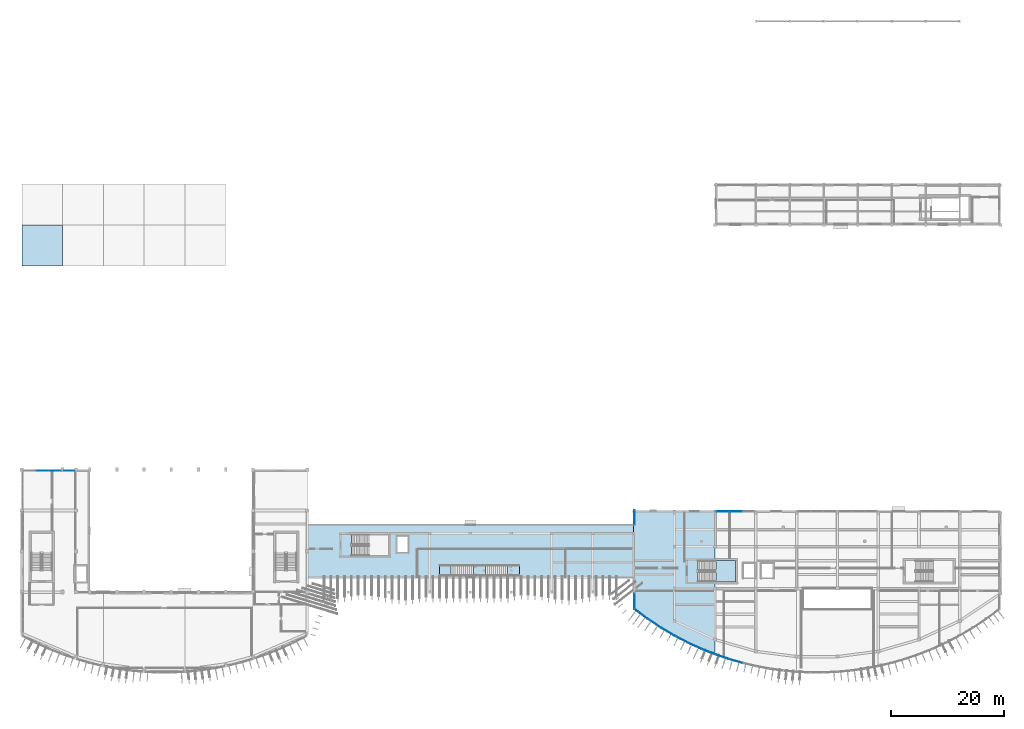
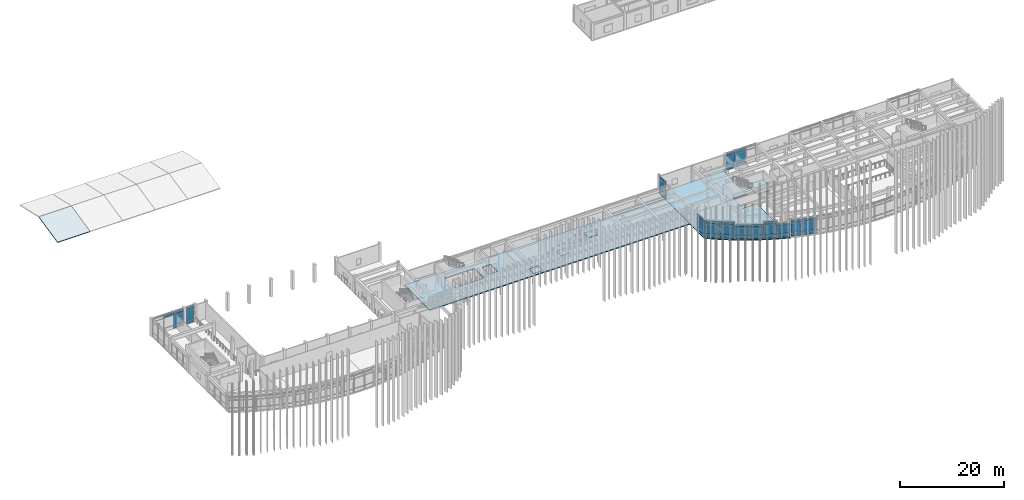
# One storey, part 26 of 47: 43 plates, 7 slabs, 15 elements without a shape of their own.
"""IFC4 building model written with IfcOpenShell, lengths in metres."""

import ifcopenshell
import ifcopenshell.guid

model = None  # the IFC model being written
_history = None  # IfcOwnerHistory: only IFC2X3 demands one
_inside = {}  # id of a spatial element -> (the spatial element, [elements in it])
_under = {}  # id of a project, library or spatial element -> (it, [spatial elements below it])
_declared = {}  # id of a project -> (the project, [libraries it declares])
_typed = {}  # id of a type object -> (the type object, [elements of that type])
_made_of = {}  # id of a material, layer set ... -> (it, [elements and type objects made of it])


def new_model(schema):
    """Start an empty IFC model of exactly this schema.

    Asked for "IFC4X3", IfcOpenShell would pick the latest addendum, in which some entities
    have other attributes; the version numbers below select the first issue.
    IFC2X3 requires an IfcOwnerHistory on every rooted entity: one is made here for all.
    """
    global model, _history
    if schema == "IFC4X3":
        model = ifcopenshell.file(schema_version=(4, 3, 0, 0))
    else:
        model = ifcopenshell.file(schema=schema)
    _inside.clear()
    _under.clear()
    _declared.clear()
    _typed.clear()
    _made_of.clear()
    _history = None
    if model.schema == "IFC2X3":
        org = make("IfcOrganization", Name="unknown")
        user = make(
            "IfcPersonAndOrganization",
            ThePerson=make("IfcPerson", FamilyName="unknown"),
            TheOrganization=org,
        )
        app = make(
            "IfcApplication",
            ApplicationDeveloper=org,
            Version="unknown",
            ApplicationFullName="unknown",
            ApplicationIdentifier="unknown",
        )
        _history = make(
            "IfcOwnerHistory",
            OwningUser=user,
            OwningApplication=app,
            ChangeAction="ADDED",
            CreationDate=0,
        )
    return model


def make(cls, **values):
    """One entity of the class cls with the attributes given. An attribute that is None is left unset."""
    return model.create_entity(
        cls, **{name: value for name, value in values.items() if value is not None}
    )


def rooted(cls, **values):
    """An entity with a GlobalId (a new one), such as an element, a storey or a relation."""
    return make(cls, GlobalId=ifcopenshell.guid.new(), OwnerHistory=_history, **values)


def si_unit(unit_type, name, prefix=None):
    """IfcSIUnit, for example si_unit("LENGTHUNIT", "METRE", prefix="MILLI")."""
    return make("IfcSIUnit", UnitType=unit_type, Prefix=prefix, Name=name)


def assignment(units):
    """IfcUnitAssignment: the units of a project."""
    return None if units is None else make("IfcUnitAssignment", Units=units)


def point(xyz):
    """IfcCartesianPoint."""
    return None if xyz is None else make("IfcCartesianPoint", Coordinates=xyz)


def direction(xyz):
    """IfcDirection."""
    return None if xyz is None else make("IfcDirection", DirectionRatios=xyz)


def frame(location, z_axis=None, x_axis=None):
    """IfcAxis2Placement3D, a coordinate frame: its origin and axes. An axis left out is left unset."""
    return make(
        "IfcAxis2Placement3D",
        Location=point(location),
        Axis=direction(z_axis),
        RefDirection=direction(x_axis),
    )


def frame_2d(location, x_axis=None):
    """IfcAxis2Placement2D, a coordinate frame in the plane: its origin and x axis."""
    return make(
        "IfcAxis2Placement2D", Location=point(location), RefDirection=direction(x_axis)
    )


def origin():
    """The frame at (0, 0, 0) with its axes left unset."""
    return frame((0.0, 0.0, 0.0))


def origin_2d():
    """The frame at (0, 0) in the plane with its x axis left unset."""
    return frame_2d((0.0, 0.0))


def place(relative_to, where):
    """IfcLocalPlacement: puts the frame where relative to a parent placement (None: the world)."""
    return make(
        "IfcLocalPlacement", PlacementRelTo=relative_to, RelativePlacement=where
    )


def context(
    kind, dimensions, precision=None, world=None, true_north=None, identifier=None
):
    """IfcGeometricRepresentationContext, for example the 3D "Model" context."""
    return make(
        "IfcGeometricRepresentationContext",
        ContextIdentifier=identifier,
        ContextType=kind,
        CoordinateSpaceDimension=dimensions,
        Precision=precision,
        WorldCoordinateSystem=world,
        TrueNorth=true_north,
    )


def subcontext(parent, identifier, kind, view, scale=None):
    """IfcGeometricRepresentationSubContext, for example "Body" below "Model"."""
    return make(
        "IfcGeometricRepresentationSubContext",
        ContextIdentifier=identifier,
        ContextType=kind,
        ParentContext=parent,
        TargetScale=scale,
        TargetView=view,
    )


def project(units=None, contexts=None):
    """IfcProject with its units and contexts."""
    return rooted(
        "IfcProject",
        Name="project",
        RepresentationContexts=contexts,
        UnitsInContext=assignment(units),
    )


def spatial(cls, under=None, at=None, **own):
    """A site, building, storey or space (cls), placed at a placement, below another one or the project."""
    s = rooted(cls, ObjectPlacement=at, **own)
    if under is not None:
        _under.setdefault(under.id(), (under, []))[1].append(s)
    return s


def polyline(points):
    """IfcPolyline through the points."""
    return make("IfcPolyline", Points=[point(p) for p in points])


def profile(cls, at=None, kind="AREA", **sizes):
    """A parametric profile (cls). Its sizes go by their IFC names, for example OverallWidth=200.0."""
    return make(cls, ProfileType=kind, Position=at, **sizes)


def rectangle(**sizes):
    """IfcRectangleProfileDef."""
    return profile("IfcRectangleProfileDef", **sizes)


def outline(outer, holes=None, kind="AREA"):
    """IfcArbitraryClosedProfileDef: a profile drawn as a closed curve; with holes, ...WithVoids."""
    if holes is None:
        return make("IfcArbitraryClosedProfileDef", ProfileType=kind, OuterCurve=outer)
    return make(
        "IfcArbitraryProfileDefWithVoids",
        ProfileType=kind,
        OuterCurve=outer,
        InnerCurves=holes,
    )


def extrude(swept, where, along, depth):
    """IfcExtrudedAreaSolid: the profile swept, set in the frame where, extruded along a direction by depth."""
    return make(
        "IfcExtrudedAreaSolid",
        SweptArea=swept,
        Position=where,
        ExtrudedDirection=direction(along),
        Depth=depth,
    )


def shape(context_of_items, identifier, shape_type, items):
    """IfcShapeRepresentation: the items that make up one representation, for example the "Body"."""
    return make(
        "IfcShapeRepresentation",
        ContextOfItems=context_of_items,
        RepresentationIdentifier=identifier,
        RepresentationType=shape_type,
        Items=items,
    )


def material(Name=None, Category=None):
    """IfcMaterial."""
    return make("IfcMaterial", Name=Name, Category=Category)


def layer(
    of_material, thickness, ventilated=None, Name=None, Category=None, Priority=None
):
    """IfcMaterialLayer: one layer of a wall or slab, of a material (None: an air gap)."""
    return make(
        "IfcMaterialLayer",
        Material=of_material,
        LayerThickness=thickness,
        IsVentilated=ventilated,
        Name=Name,
        Category=Category,
        Priority=Priority,
    )


def layer_set(layers, Name=None):
    """IfcMaterialLayerSet."""
    return make("IfcMaterialLayerSet", MaterialLayers=layers, LayerSetName=Name)


def made_of(thing, what):
    """Note that an element or type object is made of a material, layer set ...; save() writes the relation."""
    if what is not None:
        _made_of.setdefault(what.id(), (what, []))[1].append(thing)
    return thing


def type_object(cls, material=None, **own):
    """A type object (cls), such as IfcWallType, which elements share."""
    return made_of(rooted(cls, **own), material)


def element(
    cls,
    number,
    at=None,
    inside=None,
    cuts=None,
    type_object=None,
    material=None,
    context=None,
    identifier="Body",
    shape_type=None,
    held_by="IfcProductDefinitionShape",
    body=None,
    shapes=None,
    **own,
):
    """One element of the class cls, such as IfcWall. Its Tag is "e" and its number.

    at: its placement. inside: the storey or other place that contains it. cuts: it is an
    opening in that element (IfcRelVoidsElement). A single representation is given by context,
    identifier, shape_type and body (its items); several are given by shapes. held_by: the class
    of the entity that holds the representations. save() writes the other relations.
    """
    e = rooted(cls, Tag="e%d" % number, ObjectPlacement=at, **own)
    if body is not None:
        shapes = [shape(context, identifier, shape_type, body)]
    if shapes is not None:
        e.Representation = make(held_by, Representations=shapes)
    if inside is not None:
        _inside.setdefault(inside.id(), (inside, []))[1].append(e)
    if cuts is not None:
        rooted(
            "IfcRelVoidsElement", RelatingBuildingElement=cuts, RelatedOpeningElement=e
        )
    if type_object is not None:
        _typed.setdefault(type_object.id(), (type_object, []))[1].append(e)
    return made_of(e, material)


def aggregate(whole, parts):
    """IfcRelAggregates: a whole, such as a stair, and the parts it consists of."""
    return rooted("IfcRelAggregates", RelatingObject=whole, RelatedObjects=parts)


def save(model, path):
    """Write the relations noted so far, then the file.

    IfcRelAggregates (storeys below a building ...), IfcRelContainedInSpatialStructure (elements
    in a storey), IfcRelDefinesByType, IfcRelAssociatesMaterial and IfcRelDeclares: one each for
    every whole, place, type object, material and project.
    """
    for whole, parts in _under.values():
        aggregate(whole, parts)
    for where, things in _inside.values():
        rooted(
            "IfcRelContainedInSpatialStructure",
            RelatedElements=things,
            RelatingStructure=where,
        )
    for kind, things in _typed.values():
        rooted("IfcRelDefinesByType", RelatedObjects=things, RelatingType=kind)
    for what, things in _made_of.values():
        rooted("IfcRelAssociatesMaterial", RelatedObjects=things, RelatingMaterial=what)
    for by, libraries in _declared.values():
        rooted("IfcRelDeclares", RelatingContext=by, RelatedDefinitions=libraries)
    model.write(path)


model = new_model("IFC4")

# Units and contexts
model_context = context("Model", 3, precision=1e-05, world=origin(), true_north=direction((0.0, 1.0)))
body_context = subcontext(model_context, "Body", "Model", "MODEL_VIEW")
ifc_project = project(units=[si_unit("LENGTHUNIT", "METRE"), si_unit("AREAUNIT", "SQUARE_METRE"), si_unit("VOLUMEUNIT", "CUBIC_METRE"), si_unit("PLANEANGLEUNIT", "RADIAN"), si_unit("MASSUNIT", "GRAM", prefix="KILO")], contexts=[model_context])

# Site, building, storey
site_placement = place(None, origin())
site = spatial("IfcSite", under=ifc_project, at=site_placement, CompositionType="ELEMENT")
building_placement = place(site_placement, origin())
building = spatial("IfcBuilding", under=site, at=building_placement, Name="Brisavento Harbour Community Centre", CompositionType="ELEMENT")
storey_placement = place(building_placement, frame((0.0, 0.0, 8.699951171875)))
storey = spatial("IfcBuildingStorey", under=building, at=storey_placement, Name="L02", CompositionType="ELEMENT", Elevation=8.699951171875)

# Curtain wall, plates
ifc_material_1 = material(Name="Marine-anodised aluminium AW-6063-T6", Category="aluminium")
ifc_layer_1 = layer(ifc_material_1, 0.179931640625, Name="Marine-anodised aluminium AW-6063-T6")
ifc_layer_set_1 = layer_set([ifc_layer_1], Name="Marine-anodised aluminium AW-6063-T6")
curtain_wall_type_1 = type_object("IfcCurtainWallType", Name="CW-SYS-09", PredefinedType="USERDEFINED", material=ifc_layer_set_1)
curtain_wall_1_placement = place(storey_placement, origin())
curtain_wall_1 = element("IfcCurtainWall", 1, at=curtain_wall_1_placement, inside=storey, type_object=curtain_wall_type_1, Name="L02 V3 unitised curtain wall 121", ObjectType="UNITISED CURTAIN WALL", PredefinedType="USERDEFINED")
ifc_material_2 = material(Name="Solar-control laminated low-E glass", Category="glass")
ifc_layer_2 = layer(ifc_material_2, 0.02392578125, Name="Solar-control laminated low-E glass")
ifc_layer_set_2 = layer_set([ifc_layer_2], Name="Solar-control laminated low-E glass")
plate_type_1 = type_object("IfcPlateType", Name="CWP-GLZ-1", PredefinedType="CURTAIN_PANEL", material=ifc_layer_set_2)
plate_1_placement = place(storey_placement, frame((116.483154296875, 6.04931640625, 0.06494140625), z_axis=(0.0, 0.0, 1.0), x_axis=(-0.887026600781, 0.461718322689, 0.0)))
plate_1 = element("IfcPlate", 2, at=plate_1_placement, type_object=plate_type_1, Name="CW-09 panel 1.1", PredefinedType="CURTAIN_PANEL", context=body_context, shape_type="SweptSolid", body=[
    extrude(rectangle(XDim=2.53955078125, YDim=0.02392578125, at=origin_2d()), origin(), (0.0, 0.0, 1.0), 0.802490234375),
])
plate_2_placement = place(storey_placement, frame((116.483154296875, 6.04931640625, 0.932373046875), z_axis=(0.0, 0.0, 1.0), x_axis=(-0.887026600781, 0.461718322689, 0.0)))
plate_2 = element("IfcPlate", 3, at=plate_2_placement, type_object=plate_type_1, Name="CW-09 panel 1.2", PredefinedType="CURTAIN_PANEL", context=body_context, shape_type="SweptSolid", body=[
    extrude(rectangle(XDim=2.53955078125, YDim=0.02392578125, at=origin_2d()), origin(), (0.0, 0.0, 1.0), 1.7451171875),
])
plate_3_placement = place(storey_placement, frame((116.483154296875, 6.04931640625, 2.74267578125), z_axis=(0.0, 0.0, 1.0), x_axis=(-0.887026600781, 0.461718322689, 0.0)))
plate_3 = element("IfcPlate", 4, at=plate_3_placement, type_object=plate_type_1, Name="CW-09 panel 1.3", PredefinedType="CURTAIN_PANEL", context=body_context, shape_type="SweptSolid", body=[
    extrude(rectangle(XDim=2.53955078125, YDim=0.02392578125, at=origin_2d()), origin(), (0.0, 0.0, 1.0), 0.552490234375),
])
aggregate(curtain_wall_1, [plate_1, plate_2, plate_3])

ifc_layer_3 = layer(ifc_material_1, 0.179931640625, Name="Marine-anodised aluminium AW-6063-T6")
ifc_layer_set_3 = layer_set([ifc_layer_3], Name="Marine-anodised aluminium AW-6063-T6")
curtain_wall_type_2 = type_object("IfcCurtainWallType", Name="CW-SYS-06", PredefinedType="USERDEFINED", material=ifc_layer_set_3)
curtain_wall_2_placement = place(storey_placement, origin())
curtain_wall_2 = element("IfcCurtainWall", 5, at=curtain_wall_2_placement, inside=storey, type_object=curtain_wall_type_2, Name="L02 V3 unitised curtain wall 146", ObjectType="UNITISED CURTAIN WALL", PredefinedType="USERDEFINED")
plate_4_placement = place(storey_placement, frame((123.757568359375, 28.6201171875, 0.070068359375), z_axis=(0.0, 0.0, 1.0), x_axis=(1.0, 0.0, 0.0)))
plate_4 = element("IfcPlate", 6, at=plate_4_placement, type_object=plate_type_1, Name="CW-06 panel 1.1", PredefinedType="CURTAIN_PANEL", context=body_context, shape_type="SweptSolid", body=[
    extrude(rectangle(XDim=2.155029296875, YDim=0.02392578125, at=origin_2d()), origin(), (0.0, 0.0, 1.0), 0.794921875),
])
plate_5_placement = place(storey_placement, frame((123.757568359375, 28.6201171875, 0.93505859375), z_axis=(0.0, 0.0, 1.0), x_axis=(1.0, 0.0, 0.0)))
plate_5 = element("IfcPlate", 7, at=plate_5_placement, type_object=plate_type_1, Name="CW-06 panel 1.2", PredefinedType="CURTAIN_PANEL", context=body_context, shape_type="SweptSolid", body=[
    extrude(rectangle(XDim=2.155029296875, YDim=0.02392578125, at=origin_2d()), origin(), (0.0, 0.0, 1.0), 2.340087890625),
])
plate_6_placement = place(storey_placement, frame((123.757568359375, 28.6201171875, 3.344970703125), z_axis=(0.0, 0.0, 1.0), x_axis=(1.0, 0.0, 0.0)))
plate_6 = element("IfcPlate", 8, at=plate_6_placement, type_object=plate_type_1, Name="CW-06 panel 1.3", PredefinedType="CURTAIN_PANEL", context=body_context, shape_type="SweptSolid", body=[
    extrude(rectangle(XDim=2.155029296875, YDim=0.02392578125, at=origin_2d()), origin(), (0.0, 0.0, 1.0), 0.544921875),
])
plate_7_placement = place(storey_placement, frame((126.0, 28.6201171875, 0.070068359375), z_axis=(0.0, 0.0, 1.0), x_axis=(1.0, 0.0, 0.0)))
plate_7 = element("IfcPlate", 9, at=plate_7_placement, type_object=plate_type_1, Name="CW-06 panel 2.1", PredefinedType="CURTAIN_PANEL", context=body_context, shape_type="SweptSolid", body=[
    extrude(rectangle(XDim=2.18994140625, YDim=0.02392578125, at=origin_2d()), origin(), (0.0, 0.0, 1.0), 0.794921875),
])
plate_8_placement = place(storey_placement, frame((126.0, 28.6201171875, 0.93505859375), z_axis=(0.0, 0.0, 1.0), x_axis=(1.0, 0.0, 0.0)))
plate_8 = element("IfcPlate", 10, at=plate_8_placement, type_object=plate_type_1, Name="CW-06 panel 2.2", PredefinedType="CURTAIN_PANEL", context=body_context, shape_type="SweptSolid", body=[
    extrude(rectangle(XDim=2.18994140625, YDim=0.02392578125, at=origin_2d()), origin(), (0.0, 0.0, 1.0), 2.340087890625),
])
plate_9_placement = place(storey_placement, frame((126.0, 28.6201171875, 3.344970703125), z_axis=(0.0, 0.0, 1.0), x_axis=(1.0, 0.0, 0.0)))
plate_9 = element("IfcPlate", 11, at=plate_9_placement, type_object=plate_type_1, Name="CW-06 panel 2.3", PredefinedType="CURTAIN_PANEL", context=body_context, shape_type="SweptSolid", body=[
    extrude(rectangle(XDim=2.18994140625, YDim=0.02392578125, at=origin_2d()), origin(), (0.0, 0.0, 1.0), 0.544921875),
])
aggregate(curtain_wall_2, [plate_4, plate_5, plate_6, plate_7, plate_8, plate_9])

ifc_layer_4 = layer(ifc_material_1, 0.179931640625, Name="Marine-anodised aluminium AW-6063-T6")
ifc_layer_set_4 = layer_set([ifc_layer_4], Name="Marine-anodised aluminium AW-6063-T6")
curtain_wall_type_3 = type_object("IfcCurtainWallType", Name="CW-SYS-11", PredefinedType="USERDEFINED", material=ifc_layer_set_4)
curtain_wall_3_placement = place(storey_placement, origin())
curtain_wall_3 = element("IfcCurtainWall", 12, at=curtain_wall_3_placement, inside=storey, type_object=curtain_wall_type_3, Name="L02 V3 unitised curtain wall 151", ObjectType="UNITISED CURTAIN WALL", PredefinedType="USERDEFINED")
plate_10_placement = place(storey_placement, frame((108.179931640625, 12.767822265625, 0.074951171875), z_axis=(0.0, 0.0, 1.0), x_axis=(0.0, 1.0, 0.0)))
plate_10 = element("IfcPlate", 13, at=plate_10_placement, type_object=plate_type_1, Name="CW-11 panel 1.1", PredefinedType="CURTAIN_PANEL", context=body_context, shape_type="SweptSolid", body=[
    extrude(rectangle(XDim=2.6943359375, YDim=0.02392578125, at=origin_2d()), origin(), (0.0, 0.0, 1.0), 0.78759765625),
])
plate_11_placement = place(storey_placement, frame((108.179931640625, 12.767822265625, 0.9375), z_axis=(0.0, 0.0, 1.0), x_axis=(0.0, 1.0, 0.0)))
plate_11 = element("IfcPlate", 14, at=plate_11_placement, type_object=plate_type_1, Name="CW-11 panel 1.2", PredefinedType="CURTAIN_PANEL", context=body_context, shape_type="SweptSolid", body=[
    extrude(rectangle(XDim=2.6943359375, YDim=0.02392578125, at=origin_2d()), origin(), (0.0, 0.0, 1.0), 2.3349609375),
])
plate_12_placement = place(storey_placement, frame((108.179931640625, 12.767822265625, 3.347412109375), z_axis=(0.0, 0.0, 1.0), x_axis=(0.0, 1.0, 0.0)))
plate_12 = element("IfcPlate", 15, at=plate_12_placement, type_object=plate_type_1, Name="CW-11 panel 1.3", PredefinedType="CURTAIN_PANEL", context=body_context, shape_type="SweptSolid", body=[
    extrude(rectangle(XDim=2.6943359375, YDim=0.02392578125, at=origin_2d()), origin(), (0.0, 0.0, 1.0), 0.53759765625),
])
aggregate(curtain_wall_3, [plate_10, plate_11, plate_12])

ifc_layer_5 = layer(ifc_material_1, 0.179931640625, Name="Marine-anodised aluminium AW-6063-T6")
ifc_layer_set_5 = layer_set([ifc_layer_5], Name="Marine-anodised aluminium AW-6063-T6")
curtain_wall_type_4 = type_object("IfcCurtainWallType", Name="CW-SYS-10", PredefinedType="USERDEFINED", material=ifc_layer_set_5)
curtain_wall_4_placement = place(storey_placement, origin())
curtain_wall_4 = element("IfcCurtainWall", 16, at=curtain_wall_4_placement, inside=storey, type_object=curtain_wall_type_4, Name="L02 V3 unitised curtain wall 122", ObjectType="UNITISED CURTAIN WALL", PredefinedType="USERDEFINED")
ifc_layer_6 = layer(ifc_material_2, 0.028076171875, Name="Solar-control laminated low-E glass")
ifc_layer_set_6 = layer_set([ifc_layer_6], Name="Solar-control laminated low-E glass")
plate_type_2 = type_object("IfcPlateType", Name="CWP-GLZ-2", PredefinedType="CURTAIN_PANEL", material=ifc_layer_set_6)
plate_13_placement = place(storey_placement, frame((118.874755859375, 4.880615234375, 0.070068359375), z_axis=(0.0, 0.0, 1.0), x_axis=(-0.909597727846, 0.415490040189, 0.0)))
plate_13 = element("IfcPlate", 17, at=plate_13_placement, type_object=plate_type_2, Name="CW-10 panel 1.1", PredefinedType="CURTAIN_PANEL", context=body_context, shape_type="SweptSolid", body=[
    extrude(rectangle(XDim=2.46240234375, YDim=0.028076171875, at=origin_2d()), origin(), (0.0, 0.0, 1.0), 0.794921875),
])
plate_14_placement = place(storey_placement, frame((118.874755859375, 4.880615234375, 0.93505859375), z_axis=(0.0, 0.0, 1.0), x_axis=(-0.909597727846, 0.415490040189, 0.0)))
plate_14 = element("IfcPlate", 18, at=plate_14_placement, type_object=plate_type_2, Name="CW-10 panel 1.2", PredefinedType="CURTAIN_PANEL", context=body_context, shape_type="SweptSolid", body=[
    extrude(rectangle(XDim=2.46240234375, YDim=0.028076171875, at=origin_2d()), origin(), (0.0, 0.0, 1.0), 2.340087890625),
])
plate_15_placement = place(storey_placement, frame((118.874755859375, 4.880615234375, 3.344970703125), z_axis=(0.0, 0.0, 1.0), x_axis=(-0.909597727846, 0.415490040189, 0.0)))
plate_15 = element("IfcPlate", 19, at=plate_15_placement, type_object=plate_type_2, Name="CW-10 panel 1.3", PredefinedType="CURTAIN_PANEL", context=body_context, shape_type="SweptSolid", body=[
    extrude(rectangle(XDim=2.46240234375, YDim=0.028076171875, at=origin_2d()), origin(), (0.0, 0.0, 1.0), 0.544921875),
])
aggregate(curtain_wall_4, [plate_13, plate_14, plate_15])

ifc_layer_7 = layer(ifc_material_1, 0.179931640625, Name="Marine-anodised aluminium AW-6063-T6")
ifc_layer_set_7 = layer_set([ifc_layer_7], Name="Marine-anodised aluminium AW-6063-T6")
curtain_wall_type_5 = type_object("IfcCurtainWallType", Name="CW-SYS-01", PredefinedType="USERDEFINED", material=ifc_layer_set_7)
curtain_wall_5_placement = place(storey_placement, origin())
curtain_wall_5 = element("IfcCurtainWall", 20, at=curtain_wall_5_placement, inside=storey, type_object=curtain_wall_type_5, Name="L02 V1 unitised curtain wall 113", ObjectType="UNITISED CURTAIN WALL", PredefinedType="USERDEFINED")
ifc_layer_8 = layer(ifc_material_2, 0.031982421875, Name="Solar-control laminated low-E glass")
ifc_layer_set_8 = layer_set([ifc_layer_8], Name="Solar-control laminated low-E glass")
plate_type_3 = type_object("IfcPlateType", Name="CWP-GLZ-3", PredefinedType="CURTAIN_PANEL", material=ifc_layer_set_8)
plate_16_placement = place(storey_placement, frame((3.612548828125, 35.820068359375, 3.3427734375), z_axis=(0.0, 0.0, 1.0), x_axis=(1.0, 0.0, 0.0)))
plate_16 = element("IfcPlate", 21, at=plate_16_placement, type_object=plate_type_3, Name="CW-01 panel 2.3", PredefinedType="CURTAIN_PANEL", context=body_context, shape_type="SweptSolid", body=[
    extrude(rectangle(XDim=2.169921875, YDim=0.031982421875, at=origin_2d()), origin(), (0.0, 0.0, 1.0), 0.552490234375),
])
plate_17_placement = place(storey_placement, frame((5.831298828125, 35.820068359375, 0.06494140625), z_axis=(0.0, 0.0, 1.0), x_axis=(1.0, 0.0, 0.0)))
plate_17 = element("IfcPlate", 22, at=plate_17_placement, type_object=plate_type_3, Name="CW-01 panel 3.1", PredefinedType="CURTAIN_PANEL", context=body_context, shape_type="SweptSolid", body=[
    extrude(rectangle(XDim=2.137451171875, YDim=0.031982421875, at=origin_2d()), origin(), (0.0, 0.0, 1.0), 0.802490234375),
])
plate_18_placement = place(storey_placement, frame((5.831298828125, 35.820068359375, 0.9326171875), z_axis=(0.0, 0.0, 1.0), x_axis=(1.0, 0.0, 0.0)))
plate_18 = element("IfcPlate", 23, at=plate_18_placement, type_object=plate_type_3, Name="CW-01 panel 3.2", PredefinedType="CURTAIN_PANEL", context=body_context, shape_type="SweptSolid", body=[
    extrude(rectangle(XDim=2.137451171875, YDim=0.031982421875, at=origin_2d()), origin(), (0.0, 0.0, 1.0), 2.344970703125),
])
plate_19_placement = place(storey_placement, frame((5.831298828125, 35.820068359375, 3.3427734375), z_axis=(0.0, 0.0, 1.0), x_axis=(1.0, 0.0, 0.0)))
plate_19 = element("IfcPlate", 24, at=plate_19_placement, type_object=plate_type_3, Name="CW-01 panel 3.3", PredefinedType="CURTAIN_PANEL", context=body_context, shape_type="SweptSolid", body=[
    extrude(rectangle(XDim=2.137451171875, YDim=0.031982421875, at=origin_2d()), origin(), (0.0, 0.0, 1.0), 0.552490234375),
])
aggregate(curtain_wall_5, [plate_16, plate_17, plate_18, plate_19])

curtain_wall_6_placement = place(storey_placement, origin())
curtain_wall_6 = element("IfcCurtainWall", 25, at=curtain_wall_6_placement, inside=storey, type_object=curtain_wall_type_2, Name="L02 V3 unitised curtain wall 118", ObjectType="UNITISED CURTAIN WALL", PredefinedType="USERDEFINED")
plate_20_placement = place(storey_placement, frame((109.30810546875, 10.571044921875, 0.070068359375), z_axis=(0.0, 0.0, 1.0), x_axis=(-0.79980567328, 0.600259014917, 0.0)))
plate_20 = element("IfcPlate", 26, at=plate_20_placement, type_object=plate_type_3, Name="CW-06 panel 1.1", PredefinedType="CURTAIN_PANEL", context=body_context, shape_type="SweptSolid", body=[
    extrude(rectangle(XDim=2.82470703125, YDim=0.031982421875, at=origin_2d()), origin(), (0.0, 0.0, 1.0), 0.794921875),
])
plate_21_placement = place(storey_placement, frame((109.30810546875, 10.571044921875, 0.93505859375), z_axis=(0.0, 0.0, 1.0), x_axis=(-0.79980567328, 0.600259014917, 0.0)))
plate_21 = element("IfcPlate", 27, at=plate_21_placement, type_object=plate_type_3, Name="CW-06 panel 1.2", PredefinedType="CURTAIN_PANEL", context=body_context, shape_type="SweptSolid", body=[
    extrude(rectangle(XDim=2.82470703125, YDim=0.031982421875, at=origin_2d()), origin(), (0.0, 0.0, 1.0), 2.340087890625),
])
plate_22_placement = place(storey_placement, frame((109.30810546875, 10.571044921875, 3.344970703125), z_axis=(0.0, 0.0, 1.0), x_axis=(-0.79980567328, 0.600259014917, 0.0)))
plate_22 = element("IfcPlate", 28, at=plate_22_placement, type_object=plate_type_3, Name="CW-06 panel 1.3", PredefinedType="CURTAIN_PANEL", context=body_context, shape_type="SweptSolid", body=[
    extrude(rectangle(XDim=2.82470703125, YDim=0.031982421875, at=origin_2d()), origin(), (0.0, 0.0, 1.0), 0.544921875),
])
aggregate(curtain_wall_6, [plate_20, plate_21, plate_22])

curtain_wall_7_placement = place(storey_placement, origin())
curtain_wall_7 = element("IfcCurtainWall", 29, at=curtain_wall_7_placement, inside=storey, type_object=curtain_wall_type_3, Name="L02 V3 unitised curtain wall 123", ObjectType="UNITISED CURTAIN WALL", PredefinedType="USERDEFINED")
plate_23_placement = place(storey_placement, frame((121.2666015625, 3.85888671875, 0.074951171875), z_axis=(0.0, 0.0, 1.0), x_axis=(-0.929278798027, 0.369379094613, 0.0)))
plate_23 = element("IfcPlate", 30, at=plate_23_placement, type_object=plate_type_3, Name="CW-11 panel 1.1", PredefinedType="CURTAIN_PANEL", context=body_context, shape_type="SweptSolid", body=[
    extrude(rectangle(XDim=2.396728515625, YDim=0.031982421875, at=origin_2d()), origin(), (0.0, 0.0, 1.0), 0.78759765625),
])
plate_24_placement = place(storey_placement, frame((121.2666015625, 3.85888671875, 0.9375), z_axis=(0.0, 0.0, 1.0), x_axis=(-0.929278798027, 0.369379094613, 0.0)))
plate_24 = element("IfcPlate", 31, at=plate_24_placement, type_object=plate_type_3, Name="CW-11 panel 1.2", PredefinedType="CURTAIN_PANEL", context=body_context, shape_type="SweptSolid", body=[
    extrude(rectangle(XDim=2.396728515625, YDim=0.031982421875, at=origin_2d()), origin(), (0.0, 0.0, 1.0), 1.735107421875),
])
plate_25_placement = place(storey_placement, frame((121.2666015625, 3.85888671875, 2.74755859375), z_axis=(0.0, 0.0, 1.0), x_axis=(-0.929278798027, 0.369379094613, 0.0)))
plate_25 = element("IfcPlate", 32, at=plate_25_placement, type_object=plate_type_3, Name="CW-11 panel 1.3", PredefinedType="CURTAIN_PANEL", context=body_context, shape_type="SweptSolid", body=[
    extrude(rectangle(XDim=2.396728515625, YDim=0.031982421875, at=origin_2d()), origin(), (0.0, 0.0, 1.0), 0.53759765625),
])
aggregate(curtain_wall_7, [plate_23, plate_24, plate_25])

ifc_layer_9 = layer(ifc_material_1, 0.179931640625, Name="Marine-anodised aluminium AW-6063-T6")
ifc_layer_set_9 = layer_set([ifc_layer_9], Name="Marine-anodised aluminium AW-6063-T6")
curtain_wall_type_6 = type_object("IfcCurtainWallType", Name="CW-SYS-02", PredefinedType="USERDEFINED", material=ifc_layer_set_9)
curtain_wall_8_placement = place(storey_placement, origin())
curtain_wall_8 = element("IfcCurtainWall", 33, at=curtain_wall_8_placement, inside=storey, type_object=curtain_wall_type_6, Name="L02 V1 unitised curtain wall 114", ObjectType="UNITISED CURTAIN WALL", PredefinedType="USERDEFINED")
ifc_layer_10 = layer(ifc_material_2, 0.035888671875, Name="Solar-control laminated low-E glass")
ifc_layer_set_10 = layer_set([ifc_layer_10], Name="Solar-control laminated low-E glass")
plate_type_4 = type_object("IfcPlateType", Name="CWP-GLZ-4", PredefinedType="CURTAIN_PANEL", material=ifc_layer_set_10)
plate_26_placement = place(storey_placement, frame((8.387451171875, 35.820068359375, 0.070068359375), z_axis=(0.0, 0.0, 1.0), x_axis=(1.0, 0.0, 0.0)))
plate_26 = element("IfcPlate", 34, at=plate_26_placement, type_object=plate_type_4, Name="CW-02 panel 1.1", PredefinedType="CURTAIN_PANEL", context=body_context, shape_type="SweptSolid", body=[
    extrude(rectangle(XDim=1.764892578125, YDim=0.035888671875, at=origin_2d()), origin(), (0.0, 0.0, 1.0), 0.794921875),
])
plate_27_placement = place(storey_placement, frame((8.387451171875, 35.820068359375, 0.93505859375), z_axis=(0.0, 0.0, 1.0), x_axis=(1.0, 0.0, 0.0)))
plate_27 = element("IfcPlate", 35, at=plate_27_placement, type_object=plate_type_4, Name="CW-02 panel 1.2", PredefinedType="CURTAIN_PANEL", context=body_context, shape_type="SweptSolid", body=[
    extrude(rectangle(XDim=1.764892578125, YDim=0.035888671875, at=origin_2d()), origin(), (0.0, 0.0, 1.0), 2.340087890625),
])
plate_28_placement = place(storey_placement, frame((8.387451171875, 35.820068359375, 3.344970703125), z_axis=(0.0, 0.0, 1.0), x_axis=(1.0, 0.0, 0.0)))
plate_28 = element("IfcPlate", 36, at=plate_28_placement, type_object=plate_type_4, Name="CW-02 panel 1.3", PredefinedType="CURTAIN_PANEL", context=body_context, shape_type="SweptSolid", body=[
    extrude(rectangle(XDim=1.764892578125, YDim=0.035888671875, at=origin_2d()), origin(), (0.0, 0.0, 1.0), 0.544921875),
])
aggregate(curtain_wall_8, [plate_26, plate_27, plate_28])

ifc_layer_11 = layer(ifc_material_1, 0.179931640625, Name="Marine-anodised aluminium AW-6063-T6")
ifc_layer_set_11 = layer_set([ifc_layer_11], Name="Marine-anodised aluminium AW-6063-T6")
curtain_wall_type_7 = type_object("IfcCurtainWallType", Name="CW-SYS-07", PredefinedType="USERDEFINED", material=ifc_layer_set_11)
curtain_wall_9_placement = place(storey_placement, origin())
curtain_wall_9 = element("IfcCurtainWall", 37, at=curtain_wall_9_placement, inside=storey, type_object=curtain_wall_type_7, Name="L02 V3 unitised curtain wall 119", ObjectType="UNITISED CURTAIN WALL", PredefinedType="USERDEFINED")
plate_29_placement = place(storey_placement, frame((111.69970703125, 8.877685546875, 0.074951171875), z_axis=(0.0, 0.0, 1.0), x_axis=(-0.832471558705, 0.554067779199, 0.0)))
plate_29 = element("IfcPlate", 38, at=plate_29_placement, type_object=plate_type_4, Name="CW-07 panel 1.1", PredefinedType="CURTAIN_PANEL", context=body_context, shape_type="SweptSolid", body=[
    extrude(rectangle(XDim=2.697021484375, YDim=0.035888671875, at=origin_2d()), origin(), (0.0, 0.0, 1.0), 0.78759765625),
])
plate_30_placement = place(storey_placement, frame((111.69970703125, 8.877685546875, 0.9375), z_axis=(0.0, 0.0, 1.0), x_axis=(-0.832471558705, 0.554067779199, 0.0)))
plate_30 = element("IfcPlate", 39, at=plate_30_placement, type_object=plate_type_4, Name="CW-07 panel 1.2", PredefinedType="CURTAIN_PANEL", context=body_context, shape_type="SweptSolid", body=[
    extrude(rectangle(XDim=2.697021484375, YDim=0.035888671875, at=origin_2d()), origin(), (0.0, 0.0, 1.0), 2.3349609375),
])
plate_31_placement = place(storey_placement, frame((111.69970703125, 8.877685546875, 3.347412109375), z_axis=(0.0, 0.0, 1.0), x_axis=(-0.832471558705, 0.554067779199, 0.0)))
plate_31 = element("IfcPlate", 40, at=plate_31_placement, type_object=plate_type_4, Name="CW-07 panel 1.3", PredefinedType="CURTAIN_PANEL", context=body_context, shape_type="SweptSolid", body=[
    extrude(rectangle(XDim=2.697021484375, YDim=0.035888671875, at=origin_2d()), origin(), (0.0, 0.0, 1.0), 0.53759765625),
])
aggregate(curtain_wall_9, [plate_29, plate_30, plate_31])

ifc_layer_12 = layer(ifc_material_1, 0.179931640625, Name="Marine-anodised aluminium AW-6063-T6")
ifc_layer_set_12 = layer_set([ifc_layer_12], Name="Marine-anodised aluminium AW-6063-T6")
curtain_wall_type_8 = type_object("IfcCurtainWallType", Name="CW-SYS-12", PredefinedType="USERDEFINED", material=ifc_layer_set_12)
curtain_wall_10_placement = place(storey_placement, origin())
curtain_wall_10 = element("IfcCurtainWall", 41, at=curtain_wall_10_placement, inside=storey, type_object=curtain_wall_type_8, Name="L02 V3 unitised curtain wall 124", ObjectType="UNITISED CURTAIN WALL", PredefinedType="USERDEFINED")
plate_32_placement = place(storey_placement, frame((123.658203125, 2.975341796875, 0.080078125), z_axis=(0.0, 0.0, 1.0), x_axis=(-0.94633792227, 0.32317880016, 0.0)))
plate_32 = element("IfcPlate", 42, at=plate_32_placement, type_object=plate_type_4, Name="CW-12 panel 1.1", PredefinedType="CURTAIN_PANEL", context=body_context, shape_type="SweptSolid", body=[
    extrude(rectangle(XDim=2.340087890625, YDim=0.035888671875, at=origin_2d()), origin(), (0.0, 0.0, 1.0), 0.780029296875),
])
plate_33_placement = place(storey_placement, frame((123.658203125, 2.975341796875, 0.93994140625), z_axis=(0.0, 0.0, 1.0), x_axis=(-0.94633792227, 0.32317880016, 0.0)))
plate_33 = element("IfcPlate", 43, at=plate_33_placement, type_object=plate_type_4, Name="CW-12 panel 1.2", PredefinedType="CURTAIN_PANEL", context=body_context, shape_type="SweptSolid", body=[
    extrude(rectangle(XDim=2.340087890625, YDim=0.035888671875, at=origin_2d()), origin(), (0.0, 0.0, 1.0), 2.330078125),
])
plate_34_placement = place(storey_placement, frame((123.658203125, 2.975341796875, 3.35009765625), z_axis=(0.0, 0.0, 1.0), x_axis=(-0.94633792227, 0.32317880016, 0.0)))
plate_34 = element("IfcPlate", 44, at=plate_34_placement, type_object=plate_type_4, Name="CW-12 panel 1.3", PredefinedType="CURTAIN_PANEL", context=body_context, shape_type="SweptSolid", body=[
    extrude(rectangle(XDim=2.340087890625, YDim=0.035888671875, at=origin_2d()), origin(), (0.0, 0.0, 1.0), 0.530029296875),
])
aggregate(curtain_wall_10, [plate_32, plate_33, plate_34])

ifc_layer_13 = layer(ifc_material_1, 0.179931640625, Name="Marine-anodised aluminium AW-6063-T6")
ifc_layer_set_13 = layer_set([ifc_layer_13], Name="Marine-anodised aluminium AW-6063-T6")
curtain_wall_type_9 = type_object("IfcCurtainWallType", Name="CW-SYS-08", PredefinedType="USERDEFINED", material=ifc_layer_set_13)
curtain_wall_11_placement = place(storey_placement, origin())
curtain_wall_11 = element("IfcCurtainWall", 45, at=curtain_wall_11_placement, inside=storey, type_object=curtain_wall_type_9, Name="L02 V3 unitised curtain wall 120", ObjectType="UNITISED CURTAIN WALL", PredefinedType="USERDEFINED")
ifc_layer_14 = layer(ifc_material_2, 0.0400390625, Name="Solar-control laminated low-E glass")
ifc_layer_set_14 = layer_set([ifc_layer_14], Name="Solar-control laminated low-E glass")
plate_type_5 = type_object("IfcPlateType", Name="CWP-GLZ-5", PredefinedType="CURTAIN_PANEL", material=ifc_layer_set_14)
plate_35_placement = place(storey_placement, frame((114.09130859375, 7.376708984375, 0.080078125), z_axis=(0.0, 0.0, 1.0), x_axis=(-0.861429947925, 0.50787640703, 0.0)))
plate_35 = element("IfcPlate", 46, at=plate_35_placement, type_object=plate_type_5, Name="CW-08 panel 1.1", PredefinedType="CURTAIN_PANEL", context=body_context, shape_type="SweptSolid", body=[
    extrude(rectangle(XDim=2.590087890625, YDim=0.0400390625, at=origin_2d()), origin(), (0.0, 0.0, 1.0), 0.780029296875),
])
plate_36_placement = place(storey_placement, frame((114.09130859375, 7.376708984375, 0.93994140625), z_axis=(0.0, 0.0, 1.0), x_axis=(-0.861429947925, 0.50787640703, 0.0)))
plate_36 = element("IfcPlate", 47, at=plate_36_placement, type_object=plate_type_5, Name="CW-08 panel 1.2", PredefinedType="CURTAIN_PANEL", context=body_context, shape_type="SweptSolid", body=[
    extrude(rectangle(XDim=2.590087890625, YDim=0.0400390625, at=origin_2d()), origin(), (0.0, 0.0, 1.0), 1.72998046875),
])
plate_37_placement = place(storey_placement, frame((114.09130859375, 7.376708984375, 2.75), z_axis=(0.0, 0.0, 1.0), x_axis=(-0.861429947925, 0.50787640703, 0.0)))
plate_37 = element("IfcPlate", 48, at=plate_37_placement, type_object=plate_type_5, Name="CW-08 panel 1.3", PredefinedType="CURTAIN_PANEL", context=body_context, shape_type="SweptSolid", body=[
    extrude(rectangle(XDim=2.590087890625, YDim=0.0400390625, at=origin_2d()), origin(), (0.0, 0.0, 1.0), 0.530029296875),
])
aggregate(curtain_wall_11, [plate_35, plate_36, plate_37])

ifc_layer_15 = layer(ifc_material_1, 0.179931640625, Name="Marine-anodised aluminium AW-6063-T6")
ifc_layer_set_15 = layer_set([ifc_layer_15], Name="Marine-anodised aluminium AW-6063-T6")
curtain_wall_type_10 = type_object("IfcCurtainWallType", Name="CW-SYS-13", PredefinedType="USERDEFINED", material=ifc_layer_set_15)
curtain_wall_12_placement = place(storey_placement, origin())
curtain_wall_12 = element("IfcCurtainWall", 49, at=curtain_wall_12_placement, inside=storey, type_object=curtain_wall_type_10, Name="L02 V3 unitised curtain wall 125", ObjectType="UNITISED CURTAIN WALL", PredefinedType="USERDEFINED")
plate_38_placement = place(storey_placement, frame((126.0498046875, 2.22216796875, 0.06494140625), z_axis=(0.0, 0.0, 1.0), x_axis=(-0.960869761126, 0.277000545402, 0.0)))
plate_38 = element("IfcPlate", 50, at=plate_38_placement, type_object=plate_type_5, Name="CW-13 panel 1.1", PredefinedType="CURTAIN_PANEL", context=body_context, shape_type="SweptSolid", body=[
    extrude(rectangle(XDim=2.331787109375, YDim=0.0400390625, at=origin_2d()), origin(), (0.0, 0.0, 1.0), 0.802490234375),
])
plate_39_placement = place(storey_placement, frame((126.0498046875, 2.22216796875, 0.9326171875), z_axis=(0.0, 0.0, 1.0), x_axis=(-0.960869761126, 0.277000545402, 0.0)))
plate_39 = element("IfcPlate", 51, at=plate_39_placement, type_object=plate_type_5, Name="CW-13 panel 1.2", PredefinedType="CURTAIN_PANEL", context=body_context, shape_type="SweptSolid", body=[
    extrude(rectangle(XDim=2.331787109375, YDim=0.0400390625, at=origin_2d()), origin(), (0.0, 0.0, 1.0), 2.344970703125),
])
plate_40_placement = place(storey_placement, frame((126.0498046875, 2.22216796875, 3.3427734375), z_axis=(0.0, 0.0, 1.0), x_axis=(-0.960869761126, 0.277000545402, 0.0)))
plate_40 = element("IfcPlate", 52, at=plate_40_placement, type_object=plate_type_5, Name="CW-13 panel 1.3", PredefinedType="CURTAIN_PANEL", context=body_context, shape_type="SweptSolid", body=[
    extrude(rectangle(XDim=2.331787109375, YDim=0.0400390625, at=origin_2d()), origin(), (0.0, 0.0, 1.0), 0.552490234375),
])
aggregate(curtain_wall_12, [plate_38, plate_39, plate_40])

curtain_wall_13_placement = place(storey_placement, origin())
curtain_wall_13 = element("IfcCurtainWall", 53, at=curtain_wall_13_placement, inside=storey, type_object=curtain_wall_type_4, Name="L02 V3 unitised curtain wall 150", ObjectType="UNITISED CURTAIN WALL", PredefinedType="USERDEFINED")
plate_41_placement = place(storey_placement, frame((108.179931640625, 27.60009765625, 0.070068359375), z_axis=(0.0, 0.0, 1.0), x_axis=(0.0, 1.0, 0.0)))
plate_41 = element("IfcPlate", 54, at=plate_41_placement, type_object=plate_type_5, Name="CW-10 panel 1.1", PredefinedType="CURTAIN_PANEL", context=body_context, shape_type="SweptSolid", body=[
    extrude(rectangle(XDim=2.56005859375, YDim=0.0400390625, at=origin_2d()), origin(), (0.0, 0.0, 1.0), 0.794921875),
])
plate_42_placement = place(storey_placement, frame((108.179931640625, 27.60009765625, 0.93505859375), z_axis=(0.0, 0.0, 1.0), x_axis=(0.0, 1.0, 0.0)))
plate_42 = element("IfcPlate", 55, at=plate_42_placement, type_object=plate_type_5, Name="CW-10 panel 1.2", PredefinedType="CURTAIN_PANEL", context=body_context, shape_type="SweptSolid", body=[
    extrude(rectangle(XDim=2.56005859375, YDim=0.0400390625, at=origin_2d()), origin(), (0.0, 0.0, 1.0), 2.340087890625),
])
plate_43_placement = place(storey_placement, frame((108.179931640625, 27.60009765625, 3.344970703125), z_axis=(0.0, 0.0, 1.0), x_axis=(0.0, 1.0, 0.0)))
plate_43 = element("IfcPlate", 56, at=plate_43_placement, type_object=plate_type_5, Name="CW-10 panel 1.3", PredefinedType="CURTAIN_PANEL", context=body_context, shape_type="SweptSolid", body=[
    extrude(rectangle(XDim=2.56005859375, YDim=0.0400390625, at=origin_2d()), origin(), (0.0, 0.0, 1.0), 0.544921875),
])
aggregate(curtain_wall_13, [plate_41, plate_42, plate_43])

# Slabs
ifc_material_3 = material(Name="Concrete C35/45", Category="concrete")
ifc_layer_16 = layer(ifc_material_3, 0.25, Name="Concrete C35/45")
ifc_layer_set_16 = layer_set([ifc_layer_16], Name="Concrete C35/45")
slab_type_1 = type_object("IfcSlabType", Name="SLB-FLR-250", PredefinedType="FLOOR", material=ifc_layer_set_16)
slab_1_placement = place(storey_placement, frame((0.0, 0.0, -0.25)))
element("IfcSlab", 57, at=slab_1_placement, inside=storey, type_object=slab_type_1, Name="L02 V2 structural floor slab 035", PredefinedType="FLOOR", context=body_context, shape_type="SweptSolid", body=[
    extrude(outline(polyline([(50.39990234375, 16.800048828125), (108.0, 16.800048828125), (108.0, 26.39990234375), (50.39990234375, 26.39990234375), (50.39990234375, 16.800048828125)]), holes=[polyline([(58.2080078125, 20.80810546875), (58.2080078125, 24.5419921875), (64.7919921875, 24.5419921875), (64.7919921875, 20.80810546875), (58.2080078125, 20.80810546875)]), polyline([(68.14990234375, 21.449951171875), (66.25, 21.449951171875), (66.25, 24.14990234375), (68.14990234375, 24.14990234375), (68.14990234375, 21.449951171875)]), polyline([(73.7099609375, 17.2900390625), (73.7099609375, 19.110107421875), (75.827880859375, 19.110107421875), (75.827880859375, 17.2900390625), (73.7099609375, 17.2900390625)])]), origin(), (0.0, 0.0, 1.0), 0.25),
])
slab_2_placement = place(storey_placement, frame((0.0, 0.0, -0.25)))
element("IfcSlab", 58, at=slab_2_placement, inside=storey, type_object=slab_type_1, Name="L02 V3 structural floor slab 036", PredefinedType="FLOOR", context=body_context, shape_type="SweptSolid", body=[
    extrude(outline(polyline([(108.0, 28.800048828125), (108.0, 11.32763671875), (110.39990234375, 9.526611328125), (112.800048828125, 7.92919921875), (115.199951171875, 6.51416015625), (117.60009765625, 5.264892578125), (120.0, 4.168701171875), (122.39990234375, 3.21484375), (122.39990234375, 16.2080078125), (119.407958984375, 16.2080078125), (119.407958984375, 19.94189453125), (122.39990234375, 19.94189453125), (122.39990234375, 28.800048828125), (108.0, 28.800048828125)])), origin(), (0.0, 0.0, 1.0), 0.25),
])

# Stair, slab
stair_type_1 = type_object("IfcStairType", Name="STR-DL-4200", PredefinedType="HALF_TURN_STAIR", material=ifc_material_3)
stair_1_placement = place(storey_placement, origin())
stair_1 = element("IfcStair", 59, at=stair_1_placement, inside=storey, type_object=stair_type_1, Name="L02 ST-04", PredefinedType="HALF_TURN_STAIR")
ifc_layer_17 = layer(ifc_material_3, 0.199951171875, Name="Concrete C35/45")
ifc_layer_set_17 = layer_set([ifc_layer_17], Name="Concrete C35/45")
slab_type_2 = type_object("IfcSlabType", Name="SLB-LND-200", PredefinedType="LANDING", material=ifc_layer_set_17)
slab_3_placement = place(storey_placement, frame((0.0, 0.0, 1.900146484375)))
slab_3 = element("IfcSlab", 60, at=slab_3_placement, type_object=slab_type_2, Name="ST-04 landing 1", PredefinedType="LANDING", context=body_context, shape_type="SweptSolid", body=[
    extrude(outline(polyline([(122.534912109375, 16.199951171875), (126.0, 16.199951171875), (126.0, 19.949951171875), (122.534912109375, 19.949951171875), (122.534912109375, 16.199951171875)])), origin(), (0.0, 0.0, 1.0), 0.199951171875),
])
aggregate(stair_1, [slab_3])

# Stair, slabs
ifc_material_4 = material(Name="Precast concrete C40/50", Category="concrete")
stair_type_2 = type_object("IfcStairType", Name="STR-MON-2", PredefinedType="STRAIGHT_RUN_STAIR", material=ifc_material_4)
stair_2_placement = place(storey_placement, origin())
stair_2 = element("IfcStair", 61, at=stair_2_placement, inside=storey, type_object=stair_type_2, Name="L02 monumental courtyard stair MST-08", PredefinedType="STRAIGHT_RUN_STAIR")
slab_4_placement = place(storey_placement, frame((0.0, 0.0, -0.199951171875)))
slab_4 = element("IfcSlab", 62, at=slab_4_placement, type_object=slab_type_2, Name="MST-08 landing 1", PredefinedType="LANDING", context=body_context, shape_type="SweptSolid", body=[
    extrude(outline(polyline([(73.72998046875, 17.2900390625), (75.80810546875, 17.2900390625), (75.80810546875, 19.110107421875), (73.72998046875, 19.110107421875), (73.72998046875, 17.2900390625)])), origin(), (0.0, 0.0, 1.0), 0.199951171875),
])
slab_5_placement = place(storey_placement, frame((0.0, 0.0, 1.900146484375)))
slab_5 = element("IfcSlab", 63, at=slab_5_placement, type_object=slab_type_2, Name="MST-08 landing 2", PredefinedType="LANDING", context=body_context, shape_type="SweptSolid", body=[
    extrude(outline(polyline([(79.751953125, 17.2900390625), (81.837890625, 17.2900390625), (81.837890625, 19.110107421875), (79.751953125, 19.110107421875), (79.751953125, 17.2900390625)])), origin(), (0.0, 0.0, 1.0), 0.199951171875),
])
slab_6_placement = place(storey_placement, frame((0.0, 0.0, 4.0)))
slab_6 = element("IfcSlab", 64, at=slab_6_placement, type_object=slab_type_2, Name="MST-08 landing 3", PredefinedType="LANDING", context=body_context, shape_type="SweptSolid", body=[
    extrude(outline(polyline([(85.781982421875, 17.2900390625), (87.860107421875, 17.2900390625), (87.860107421875, 19.110107421875), (85.781982421875, 19.110107421875), (85.781982421875, 17.2900390625)])), origin(), (0.0, 0.0, 1.0), 0.199951171875),
])
aggregate(stair_2, [slab_4, slab_5, slab_6])

# Slab
ifc_layer_18 = layer(ifc_material_3, 0.199951171875, Name="Concrete C35/45")
ifc_layer_set_18 = layer_set([ifc_layer_18], Name="Concrete C35/45")
slab_type_3 = type_object("IfcSlabType", Name="SLB-PAV-200", PredefinedType="ROOF", material=ifc_layer_set_18)
slab_7_placement = place(storey_placement, frame((0.0, 72.0, 0.0), z_axis=(0.0, -0.216944477077, 0.976183944688), x_axis=(1.0, 0.0, 0.0)))
element("IfcSlab", 65, at=slab_7_placement, inside=storey, type_object=slab_type_3, Name="Dining Pavilion south roof slope 1", PredefinedType="ROOF", context=body_context, shape_type="SweptSolid", body=[
    extrude(outline(polyline([(0.0, 0.0), (7.199951171875, 0.0), (7.199951171875, 7.3756090858261265), (0.0, 7.3756090858261265), (0.0, 0.0)])), origin(), (0.0, 0.0, -1.0), 0.199951171875),
])

save(model, "model.ifc")
